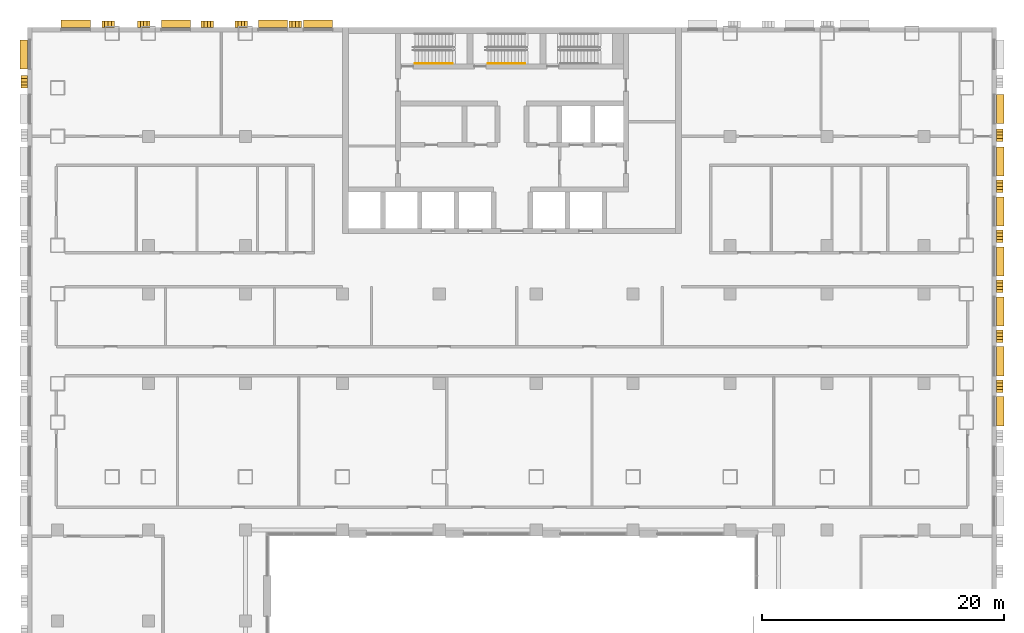
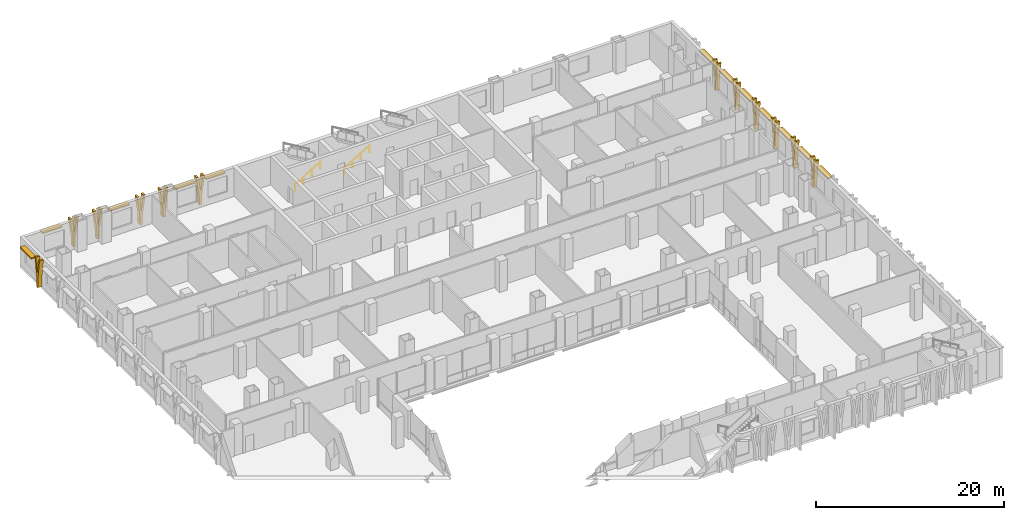
# One storey, part 24 of 26: 24 shading devices, 2 railings.
"""IFC4 building model written with IfcOpenShell, lengths in metres."""

from ifc_helpers import new_model, si_unit, direction, frame, origin, origin_2d, place, context, subcontext, project, spatial, polyline, rectangle, circle, outline, extrude, material, layer, layer_set, type_object, element, save


model = new_model("IFC4")

# Units and contexts
model_context = context("Model", 3, precision=1e-05, world=origin(), true_north=direction((0.0, 1.0)))
body_context = subcontext(model_context, "Body", "Model", "MODEL_VIEW")
ifc_project = project(units=[si_unit("LENGTHUNIT", "METRE"), si_unit("AREAUNIT", "SQUARE_METRE"), si_unit("VOLUMEUNIT", "CUBIC_METRE"), si_unit("PLANEANGLEUNIT", "RADIAN"), si_unit("MASSUNIT", "GRAM", prefix="KILO")], contexts=[model_context])

# Site, building, storey
site_placement = place(None, origin())
site = spatial("IfcSite", under=ifc_project, at=site_placement, CompositionType="ELEMENT")
building_placement = place(site_placement, origin())
building = spatial("IfcBuilding", under=site, at=building_placement, Name="Vidyagriha Tower", CompositionType="ELEMENT")
storey_placement = place(building_placement, frame((0.0, 0.0, 6.0)))
storey = spatial("IfcBuildingStorey", under=building, at=storey_placement, Name="L01", CompositionType="ELEMENT", Elevation=6.0)

# Shading devices
ifc_material_1 = material(Name="Precast concrete C40/50 with brick facing", Category="concrete")
ifc_layer_1 = layer(ifc_material_1, 0.14990234375)
ifc_layer_set_1 = layer_set([ifc_layer_1], Name="Precast concrete C40/50 with brick facing")
shading_device_type_1 = type_object("IfcShadingDeviceType", Name="Brick chhajja window hood", PredefinedType="AWNING", material=ifc_layer_set_1)
for number, where, z_axis, x_axis, name in (
    (1, (40.300048828125, -11.6875, 3.0), (0.0, 0.0, 1.0), (0.0, 1.0, 0.0), "Window hood L01 R01.12"),
    (2, (40.300048828125, -7.5625, 3.0), (0.0, 0.0, 1.0), (0.0, 1.0, 0.0), "Window hood L01 R01.13"),
    (3, (40.300048828125, -3.4375, 3.0), (0.0, 0.0, 1.0), (0.0, 1.0, 0.0), "Window hood L01 R01.14"),
    (4, (40.300048828125, 0.6875, 3.0), (0.0, 0.0, 1.0), (0.0, 1.0, 0.0), "Window hood L01 R01.15"),
    (5, (40.300048828125, 4.8125, 3.0), (0.0, 0.0, 1.0), (0.0, 1.0, 0.0), "Window hood L01 R01.16"),
    (6, (40.300048828125, 8.9375, 3.0), (0.0, 0.0, 1.0), (0.0, 1.0, 0.0), "Window hood L01 R01.17"),
    (7, (40.300048828125, 13.25, 3.0), (0.0, 0.0, 1.0), (0.0, 1.0, 0.0), "Window hood L01 R01.18"),
    (8, (-16.0, 20.300048828125, 3.0), (0.0, 0.0, 1.0), (-1.0, 0.0, 0.0), "Window hood L01 R04.1"),
    (9, (-19.735107421875, 20.300048828125, 3.0), (0.0, 0.0, 1.0), (-1.0, 0.0, 0.0), "Window hood L01 R04.2"),
    (10, (-27.735107421875, 20.300048828125, 3.0), (0.0, 0.0, 1.0), (-1.0, 0.0, 0.0), "Window hood L01 R04.6"),
    (11, (-36.0, 20.300048828125, 3.0), (0.0, 0.0, 1.0), (-1.0, 0.0, 0.0), "Window hood L01 R04.12"),
    (12, (-40.300048828125, 17.75, 3.0), (0.0, 0.0, 1.0), (0.0, -1.0, 0.0), "Window hood L01 R05.1"),
):
    element("IfcShadingDevice", number, at=place(storey_placement, frame(where, z_axis=z_axis, x_axis=x_axis)), inside=storey, type_object=shading_device_type_1, Name=name, PredefinedType="AWNING", context=body_context, shape_type="SweptSolid", body=[
        extrude(rectangle(XDim=2.39990234375, YDim=0.60009765625, at=origin_2d()), origin(), (0.0, 0.0, 1.0), 0.14990234375),
    ])
ifc_material_2 = material(Name="Precast concrete C40/50 with buff brick facing", Category="concrete")
ifc_layer_2 = layer(ifc_material_2, 0.300048828125)
ifc_layer_set_2 = layer_set([ifc_layer_2], Name="Precast concrete C40/50 with buff brick facing")
shading_device_type_2 = type_object("IfcShadingDeviceType", Name="Brick-faced podium blade forking 8 degrees", PredefinedType="USERDEFINED", material=ifc_layer_set_2)
for number, where, z_axis, x_axis, name in (
    (13, (40.25, -10.140380859375, 0.0), (0.0, 0.0, 1.0), (0.0, 1.0, 0.0), "Podium blade L01 R01.4038"),
    (14, (40.25, -6.015380859375, 0.0), (0.0, 0.0, 1.0), (0.0, 1.0, 0.0), "Podium blade L01 R01.4450"),
    (15, (40.25, -1.890380859375, 0.0), (0.0, 0.0, 1.0), (0.0, 1.0, 0.0), "Podium blade L01 R01.4862"),
    (16, (40.25, 2.234619140625, 0.0), (0.0, 0.0, 1.0), (0.0, 1.0, 0.0), "Podium blade L01 R01.5275"),
    (17, (40.25, 6.359619140625, 0.0), (0.0, 0.0, 1.0), (0.0, 1.0, 0.0), "Podium blade L01 R01.5688"),
    (18, (40.25, 10.578369140625, 0.0), (0.0, 0.0, 1.0), (0.0, 1.0, 0.0), "Podium blade L01 R01.6109"),
    (19, (-17.35205078125, 20.25, 0.0), (0.0, 0.0, 1.0), (-1.0, 0.0, 0.0), "Podium blade L01 R04.387"),
    (20, (-21.819580078125, 20.25, 0.0), (0.0, 0.0, 1.0), (-1.0, 0.0, 0.0), "Podium blade L01 R04.833"),
    (21, (-24.61962890625, 20.25, 0.0), (0.0, 0.0, 1.0), (-1.0, 0.0, 0.0), "Podium blade L01 R04.1114"),
    (22, (-29.8857421875, 20.25, 0.0), (0.0, 0.0, 1.0), (-1.0, 0.0, 0.0), "Podium blade L01 R04.1640"),
    (23, (-32.818359375, 20.25, 0.0), (0.0, 0.0, 1.0), (-1.0, 0.0, 0.0), "Podium blade L01 R04.1933"),
    (24, (-40.25, 16.015380859375, 0.0), (0.0, 0.0, 1.0), (0.0, -1.0, 0.0), "Podium blade L01 R05.450"),
):
    element("IfcShadingDevice", number, at=place(storey_placement, frame(where, z_axis=z_axis, x_axis=x_axis)), inside=storey, type_object=shading_device_type_2, Name=name, ObjectType="BLADE FIN", PredefinedType="USERDEFINED", context=body_context, shape_type="SweptSolid", body=[
        extrude(outline(polyline([(0.665283203125, 0.0), (0.665283203125, 1.10009765625), (1.03076171875, 3.699951171875), (0.790771484375, 3.699951171875), (0.515380859375, 1.740478515625), (0.239990234375, 3.699951171875), (0.0, 3.699951171875), (0.365478515625, 1.10009765625), (0.365478515625, 0.0), (0.665283203125, 0.0)])), frame((0.0, 0.25, 0.0), z_axis=(0.0, -1.0, 0.0), x_axis=(1.0, 0.0, 0.0)), (0.0, 0.0, 1.0), 0.5),
    ])

# Railings
ifc_material_3 = material(Name="Steel ASTM A500 Grade C", Category="steel")
railing_type = type_object("IfcRailingType", Name="Stair handrail 900 mm, steel", PredefinedType="HANDRAIL", material=ifc_material_3)
for number, where, name in (
    (25, (-8.0, 17.0, 0.166748046875), "L01 ST1 stair handrail 1"),
    (26, (-2.0, 17.0, 0.166748046875), "L01 ST2 stair handrail 1"),
):
    element("IfcRailing", number, at=place(storey_placement, frame(where)), inside=storey, type_object=railing_type, Name=name, PredefinedType="HANDRAIL", context=body_context, shape_type="SweptSolid", body=[
        extrude(circle(Radius=0.02392578125, at=origin_2d()), frame((0.0, 0.0, 0.8759765625), z_axis=(0.859308565015, 0.0, 0.511457515432), x_axis=(0.0, 1.0, 0.0)), (0.0, 0.0, 1.0), 3.58447265625),
        extrude(circle(Radius=0.02099609375, at=origin_2d()), origin(), (0.0, 0.0, 1.0), 0.851806640625),
        extrude(circle(Radius=0.02099609375, at=origin_2d()), frame((1.026611328125, 0.0, 0.611083984375)), (0.0, 0.0, 1.0), 0.851806640625),
        extrude(circle(Radius=0.02099609375, at=origin_2d()), frame((2.053466796875, 0.0, 1.22216796875)), (0.0, 0.0, 1.0), 0.851806640625),
        extrude(circle(Radius=0.02099609375, at=origin_2d()), frame((3.080078125, 0.0, 1.833251953125)), (0.0, 0.0, 1.0), 0.851806640625),
    ])

save(model, "model.ifc")
